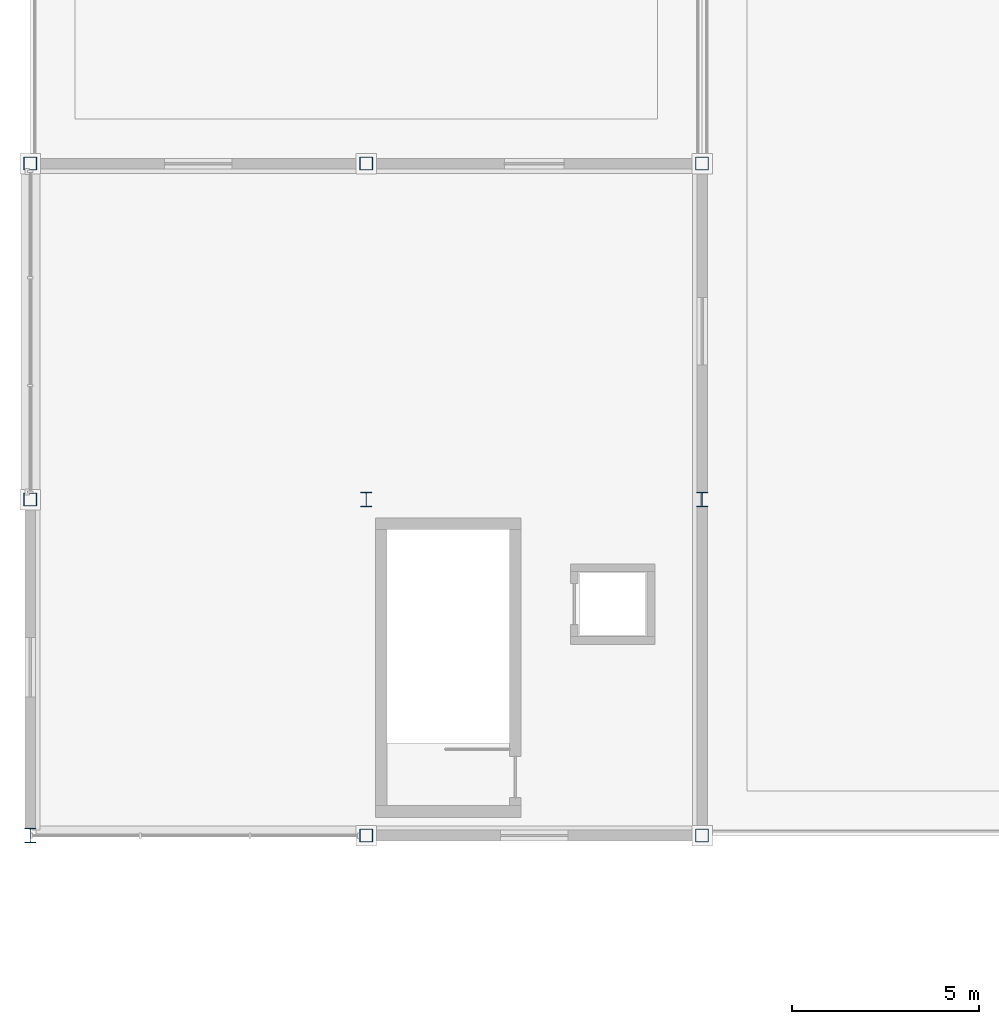
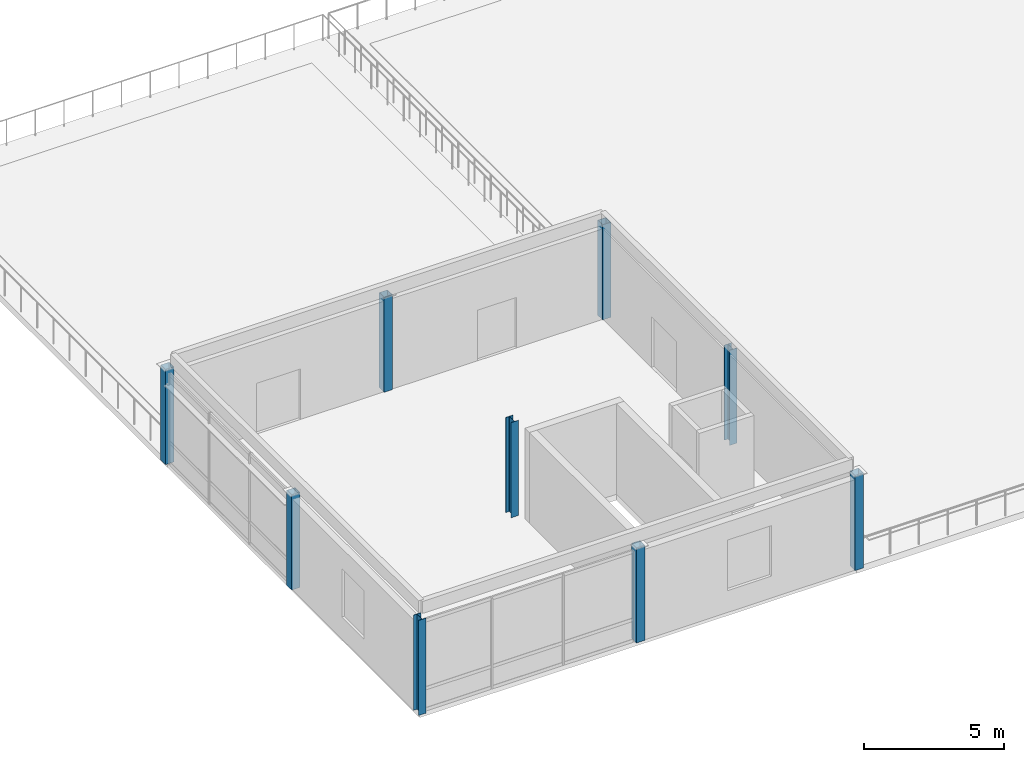
# One storey, part 1 of 14: 9 columns.
"""IFC4 building model written with IfcOpenShell, lengths in metres."""

from ifc_helpers import new_model, si_unit, direction, frame, origin, origin_2d, place, context, subcontext, project, spatial, hollow_rectangle, i_section, extrude, material, material_profile, profile_set, type_object, element, save


model = new_model("IFC4")

# Units and contexts
model_context = context("Model", 3, precision=1e-05, world=origin(), true_north=direction((0.0, 1.0)))
body_context = subcontext(model_context, "Body", "Model", "MODEL_VIEW")
ifc_project = project(units=[si_unit("LENGTHUNIT", "METRE"), si_unit("AREAUNIT", "SQUARE_METRE"), si_unit("VOLUMEUNIT", "CUBIC_METRE"), si_unit("PLANEANGLEUNIT", "RADIAN"), si_unit("MASSUNIT", "GRAM", prefix="KILO")], contexts=[model_context])

# Site, building, storey
site_placement = place(None, origin())
site = spatial("IfcSite", under=ifc_project, at=site_placement, CompositionType="ELEMENT")
building_placement = place(site_placement, origin())
building = spatial("IfcBuilding", under=site, at=building_placement, Name="Suzunagisa Mobility Hub", CompositionType="ELEMENT")
storey_placement = place(building_placement, frame((0.0, 0.0, 26.10009765625)))
storey = spatial("IfcBuildingStorey", under=building, at=storey_placement, Name="L06", CompositionType="ELEMENT", Elevation=26.10009765625)

# Columns
ifc_material = material(Name="Steel SN490B", Category="steel")
ifc_material_profile_1 = material_profile(ifc_material, hollow_rectangle(XDim=0.35009765625, YDim=0.35009765625, WallThickness=0.01611328125, at=origin_2d()), Name="BCR-350x350x16")
ifc_profile_set_1 = profile_set([ifc_material_profile_1], Name="Steel SN490B")
column_type_1 = type_object("IfcColumnType", Name="Steel Column CL-04 BCR-350x350x16", PredefinedType="COLUMN", material=ifc_profile_set_1)
for number, where, z_axis, x_axis, name in (
    (1, (45.0, 89.0, 0.0), (0.0, 0.0, 1.0), (1.0, 0.0, 0.0), "L06 Column 119"),
    (2, (45.0, 98.0, 0.0), (0.0, 0.0, 1.0), (1.0, 0.0, 0.0), "L06 Column 120"),
    (3, (54.0, 80.0, 0.0), (0.0, 0.0, 1.0), (1.0, 0.0, 0.0), "L06 Column 129"),
    (4, (54.0, 98.0, 0.0), (0.0, 0.0, 1.0), (1.0, 0.0, 0.0), "L06 Column 131"),
    (5, (63.0, 80.0, 0.0), (0.0, 0.0, 1.0), (1.0, 0.0, 0.0), "L06 Column 138"),
    (6, (63.0, 98.0, 0.0), (0.0, 0.0, 1.0), (1.0, 0.0, 0.0), "L06 Column 140"),
):
    element("IfcColumn", number, at=place(storey_placement, frame(where, z_axis=z_axis, x_axis=x_axis)), inside=storey, type_object=column_type_1, Name=name, PredefinedType="COLUMN", context=body_context, shape_type="SweptSolid", body=[
        extrude(hollow_rectangle(XDim=0.35009765625, YDim=0.35009765625, WallThickness=0.01611328125, at=origin_2d()), origin(), (0.0, 0.0, 1.0), 4.139892578125),
    ])
ifc_material_profile_2 = material_profile(ifc_material, i_section(OverallWidth=0.300048828125, OverallDepth=0.389892578125, WebThickness=0.010009765625, FlangeThickness=0.01611328125, FilletRadius=0.012939453125, at=origin_2d()), Name="H-390x300x10x16")
ifc_profile_set_2 = profile_set([ifc_material_profile_2], Name="Steel SN490B")
column_type_2 = type_object("IfcColumnType", Name="Steel Column CL-07 H-390x300x10x16", PredefinedType="COLUMN", material=ifc_profile_set_2)
for number, where, z_axis, x_axis, name in (
    (7, (45.0, 80.0, 0.0), (0.0, 0.0, 1.0), (1.0, 0.0, 0.0), "L06 Column 118"),
    (8, (54.0, 89.0, 0.0), (0.0, 0.0, 1.0), (1.0, 0.0, 0.0), "L06 Column 130"),
    (9, (63.0, 89.0, 0.0), (0.0, 0.0, 1.0), (1.0, 0.0, 0.0), "L06 Column 139"),
):
    element("IfcColumn", number, at=place(storey_placement, frame(where, z_axis=z_axis, x_axis=x_axis)), inside=storey, type_object=column_type_2, Name=name, PredefinedType="COLUMN", context=body_context, shape_type="SweptSolid", body=[
        extrude(i_section(OverallWidth=0.300048828125, OverallDepth=0.389892578125, WebThickness=0.010009765625, FlangeThickness=0.01611328125, FilletRadius=0.012939453125, at=origin_2d()), origin(), (0.0, 0.0, 1.0), 4.139892578125),
    ])

save(model, "model.ifc")
